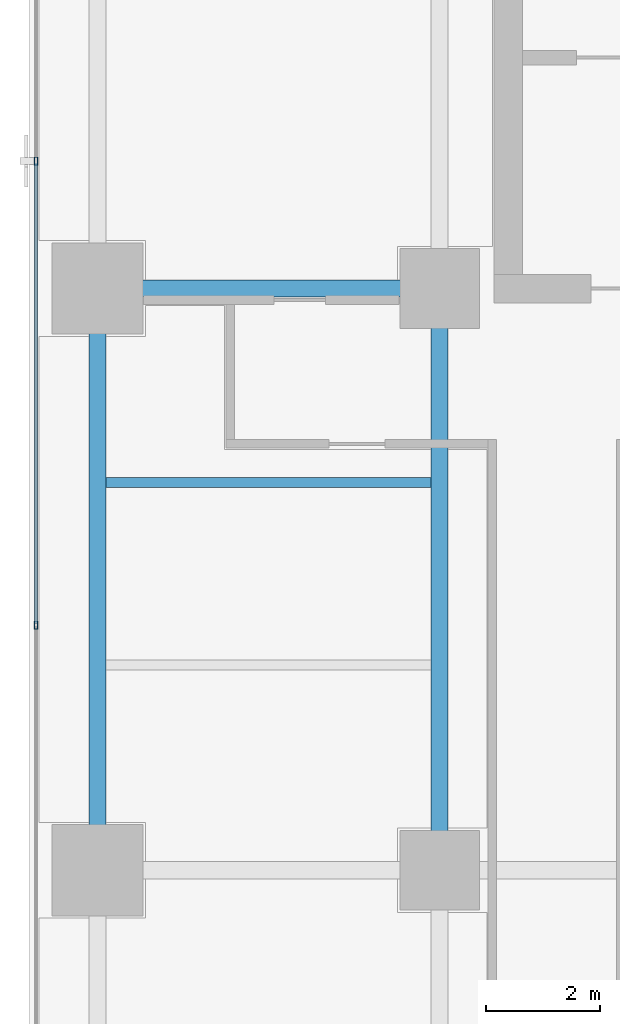
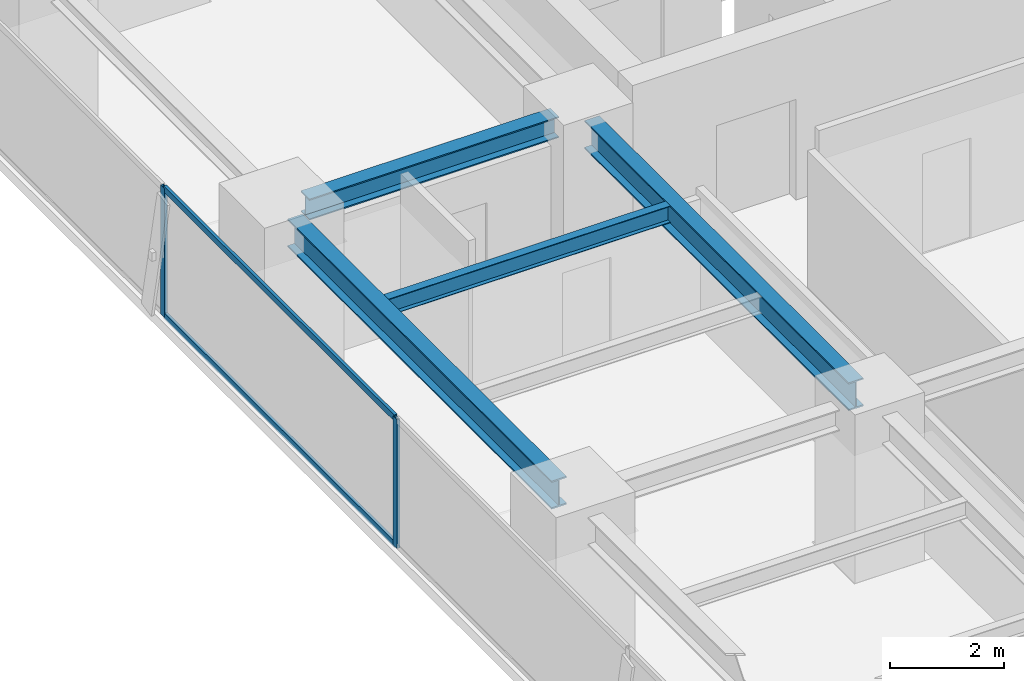
# One storey, part 8 of 29: 4 beams, 4 members, 1 element without a shape of its own.
"""IFC4 building model written with IfcOpenShell, lengths in metres."""

from ifc_helpers import new_model, si_unit, direction, frame, origin, origin_2d, place, context, subcontext, project, spatial, hollow_rectangle, i_section, extrude, source, transform, mapped, material, layer, layer_set, material_profile, profile_set, type_object, element, aggregate, save


model = new_model("IFC4")

# Units and contexts
model_context = context("Model", 3, precision=1e-05, world=origin(), true_north=direction((0.0, 1.0)))
body_context = subcontext(model_context, "Body", "Model", "MODEL_VIEW")
ifc_project = project(units=[si_unit("LENGTHUNIT", "METRE"), si_unit("AREAUNIT", "SQUARE_METRE"), si_unit("VOLUMEUNIT", "CUBIC_METRE"), si_unit("PLANEANGLEUNIT", "RADIAN"), si_unit("MASSUNIT", "GRAM", prefix="KILO")], contexts=[model_context])

# Site, building, storey
site_placement = place(None, origin())
site = spatial("IfcSite", under=ifc_project, at=site_placement, CompositionType="ELEMENT")
building_placement = place(site_placement, origin())
building = spatial("IfcBuilding", under=site, at=building_placement, Name="Sumidabori Civic Tower", CompositionType="ELEMENT")
storey_placement = place(building_placement, frame((0.0, 0.0, 214.39990234375)))
storey = spatial("IfcBuildingStorey", under=building, at=storey_placement, Name="L55", CompositionType="ELEMENT", Elevation=214.39990234375)

# Beams
ifc_material_1 = material(Name="Steel SN490", Category="steel")
ifc_material_profile_1 = material_profile(ifc_material_1, i_section(OverallWidth=0.300048828125, OverallDepth=0.60009765625, WebThickness=0.015380859375, FlangeThickness=0.030029296875, at=origin_2d()), Name="HE 600 B")
ifc_profile_set_1 = profile_set([ifc_material_profile_1], Name="Steel SN490")
beam_type_1 = type_object("IfcBeamType", Name="BM-GIRD-600", PredefinedType="BEAM", material=ifc_profile_set_1)
shared_shape_1 = source(origin(), body_context, "Body", "SweptSolid", [
    extrude(i_section(OverallWidth=0.300048828125, OverallDepth=0.60009765625, WebThickness=0.015380859375, FlangeThickness=0.030029296875, at=origin_2d()), origin(), (0.0, 0.0, 1.0), 9.239990234375),
])
for number, where, z_axis, x_axis, name in (
    (1, (-22.800048828125, 0.47998046875, 3.080078125), (0.0, 1.0, 0.0), (-1.0, 0.0, 0.0), "Primary Girder L55 GY-12"),
    (2, (-16.800048828125, 0.47998046875, 3.080078125), (0.0, 1.0, 0.0), (-1.0, 0.0, 0.0), "Primary Girder L55 GY-15"),
):
    element("IfcBeam", number, at=place(storey_placement, frame(where, z_axis=z_axis, x_axis=x_axis)), inside=storey, type_object=beam_type_1, Name=name, PredefinedType="BEAM", context=body_context, shape_type="MappedRepresentation", body=[
        mapped(shared_shape_1, transform((0.0, 0.0, 0.0), x_axis=(1.0, 0.0, 0.0), y_axis=(0.0, 1.0, 0.0), z_axis=(0.0, 0.0, 1.0), scale=1.0)),
    ])
ifc_material_profile_2 = material_profile(ifc_material_1, i_section(OverallWidth=0.169921875, OverallDepth=0.360107421875, WebThickness=0.008056640625, FlangeThickness=0.0126953125, at=origin_2d()), Name="IPE 360")
ifc_profile_set_2 = profile_set([ifc_material_profile_2], Name="Steel SN490")
beam_type_2 = type_object("IfcBeamType", Name="BM-JST-360", PredefinedType="JOIST", material=ifc_profile_set_2)
shared_shape_2 = source(origin(), body_context, "Body", "SweptSolid", [
    extrude(i_section(OverallWidth=0.169921875, OverallDepth=0.360107421875, WebThickness=0.008056640625, FlangeThickness=0.0126953125, at=origin_2d()), origin(), (0.0, 0.0, 1.0), 5.699951171875),
])
beam_1_placement = place(storey_placement, frame((-22.64990234375, 6.800048828125, 3.2001953125), z_axis=(1.0, 0.0, 0.0), x_axis=(0.0, 1.0, 0.0)))
element("IfcBeam", 3, at=beam_1_placement, inside=storey, type_object=beam_type_2, Name="Outer Bay Floor Joist L55 JSTO-31", PredefinedType="JOIST", context=body_context, shape_type="MappedRepresentation", body=[
    mapped(shared_shape_2, transform((0.0, 0.0, 0.0), x_axis=(1.0, 0.0, 0.0), y_axis=(0.0, 1.0, 0.0), z_axis=(0.0, 0.0, 1.0), scale=1.0)),
])
ifc_material_profile_3 = material_profile(ifc_material_1, i_section(OverallWidth=0.300048828125, OverallDepth=0.449951171875, WebThickness=0.013916015625, FlangeThickness=0.02587890625, at=origin_2d()), Name="HE 450 B")
ifc_profile_set_3 = profile_set([ifc_material_profile_3], Name="Steel SN490")
beam_type_3 = type_object("IfcBeamType", Name="BM-GIRD-450", PredefinedType="BEAM", material=ifc_profile_set_3)
shared_shape_3 = source(origin(), body_context, "Body", "SweptSolid", [
    extrude(i_section(OverallWidth=0.300048828125, OverallDepth=0.449951171875, WebThickness=0.013916015625, FlangeThickness=0.02587890625, at=origin_2d()), origin(), (0.0, 0.0, 1.0), 5.0400390625),
])
beam_2_placement = place(storey_placement, frame((-22.320068359375, 10.199951171875, 3.155029296875), z_axis=(1.0, 0.0, 0.0), x_axis=(0.0, 1.0, 0.0)))
element("IfcBeam", 4, at=beam_2_placement, inside=storey, type_object=beam_type_3, Name="Primary Girder L55 GX-09", PredefinedType="BEAM", context=body_context, shape_type="MappedRepresentation", body=[
    mapped(shared_shape_3, transform((0.0, 0.0, 0.0), x_axis=(1.0, 0.0, 0.0), y_axis=(0.0, 1.0, 0.0), z_axis=(0.0, 0.0, 1.0), scale=1.0)),
])

# Curtain wall, members
ifc_material_2 = material(Name="Anodised Bronze Aluminium AW-6063-T6", Category="aluminium")
ifc_layer = layer(ifc_material_2, 0.179931640625, Name="Anodised Bronze Aluminium AW-6063-T6")
ifc_layer_set = layer_set([ifc_layer], Name="Anodised Bronze Aluminium AW-6063-T6")
curtain_wall_type = type_object("IfcCurtainWallType", Name="CW-SYS-5", PredefinedType="NOTDEFINED", material=ifc_layer_set)
curtain_wall_placement = place(storey_placement, origin())
curtain_wall = element("IfcCurtainWall", 5, at=curtain_wall_placement, inside=storey, type_object=curtain_wall_type, Name="Curtain Wall CW:L55:R16", PredefinedType="NOTDEFINED")
ifc_material_profile_4 = material_profile(ifc_material_2, hollow_rectangle(XDim=0.06005859375, YDim=0.139892578125, WallThickness=0.0048828125, at=origin_2d()), Name="ALU MULLION 140x60")
ifc_profile_set_4 = profile_set([ifc_material_profile_4], Name="Anodised Bronze Aluminium AW-6063-T6")
member_type_1 = type_object("IfcMemberType", Name="CW-MUL-140", PredefinedType="MULLION", material=ifc_profile_set_4)
shared_shape_4 = source(origin(), body_context, "Body", "SweptSolid", [
    extrude(hollow_rectangle(XDim=0.06005859375, YDim=0.139892578125, WallThickness=0.0048828125, at=origin_2d()), origin(), (0.0, 0.0, 1.0), 2.760009765625),
])
member_1_placement = place(storey_placement, frame((-23.8798828125, 12.43505859375, 0.0), z_axis=(0.0, 0.0, 1.0), x_axis=(1.0, 0.0, 0.0)))
member_1 = element("IfcMember", 6, at=member_1_placement, type_object=member_type_1, Name="CW-5 mullion 2", PredefinedType="MULLION", context=body_context, shape_type="MappedRepresentation", body=[
    mapped(shared_shape_4, transform((0.0, 0.0, 0.0), x_axis=(1.0, 0.0, 0.0), y_axis=(0.0, 1.0, 0.0), z_axis=(0.0, 0.0, 1.0), scale=1.0)),
])
member_2_placement = place(storey_placement, frame((-23.8798828125, 4.300048828125, 0.0), z_axis=(0.0, 0.0, 1.0), x_axis=(1.0, 0.0, 0.0)))
member_2 = element("IfcMember", 7, at=member_2_placement, type_object=member_type_1, Name="CW-5 mullion 3", PredefinedType="MULLION", context=body_context, shape_type="MappedRepresentation", body=[
    mapped(shared_shape_4, transform((0.0, 0.0, 0.0), x_axis=(1.0, 0.0, 0.0), y_axis=(0.0, 1.0, 0.0), z_axis=(0.0, 0.0, 1.0), scale=1.0)),
])
ifc_material_profile_5 = material_profile(ifc_material_2, hollow_rectangle(XDim=0.06005859375, YDim=0.1298828125, WallThickness=0.0048828125, at=origin_2d()), Name="ALU TRANSOM 130x60")
ifc_profile_set_5 = profile_set([ifc_material_profile_5], Name="Anodised Bronze Aluminium AW-6063-T6")
member_type_2 = type_object("IfcMemberType", Name="CW-TRN-130", PredefinedType="USERDEFINED", material=ifc_profile_set_5)
shared_shape_5 = source(origin(), body_context, "Body", "SweptSolid", [
    extrude(hollow_rectangle(XDim=0.06005859375, YDim=0.1298828125, WallThickness=0.0048828125, at=origin_2d()), origin(), (0.0, 0.0, 1.0), 8.074951171875),
])
member_3_placement = place(storey_placement, frame((-23.8798828125, 12.405029296875, 0.030029296875), z_axis=(0.0, -1.0, 0.0), x_axis=(1.0, 0.0, 0.0)))
member_3 = element("IfcMember", 8, at=member_3_placement, type_object=member_type_2, Name="CW-5 transom 2.1", ObjectType="TRANSOM", PredefinedType="USERDEFINED", context=body_context, shape_type="MappedRepresentation", body=[
    mapped(shared_shape_5, transform((0.0, 0.0, 0.0), x_axis=(1.0, 0.0, 0.0), y_axis=(0.0, 1.0, 0.0), z_axis=(0.0, 0.0, 1.0), scale=1.0)),
])
member_4_placement = place(storey_placement, frame((-23.8798828125, 12.405029296875, 2.72998046875), z_axis=(0.0, -1.0, 0.0), x_axis=(1.0, 0.0, 0.0)))
member_4 = element("IfcMember", 9, at=member_4_placement, type_object=member_type_2, Name="CW-5 transom 2.2", ObjectType="TRANSOM", PredefinedType="USERDEFINED", context=body_context, shape_type="MappedRepresentation", body=[
    mapped(shared_shape_5, transform((0.0, 0.0, 0.0), x_axis=(1.0, 0.0, 0.0), y_axis=(0.0, 1.0, 0.0), z_axis=(0.0, 0.0, 1.0), scale=1.0)),
])
aggregate(curtain_wall, [member_1, member_2, member_3, member_4])

save(model, "model.ifc")
